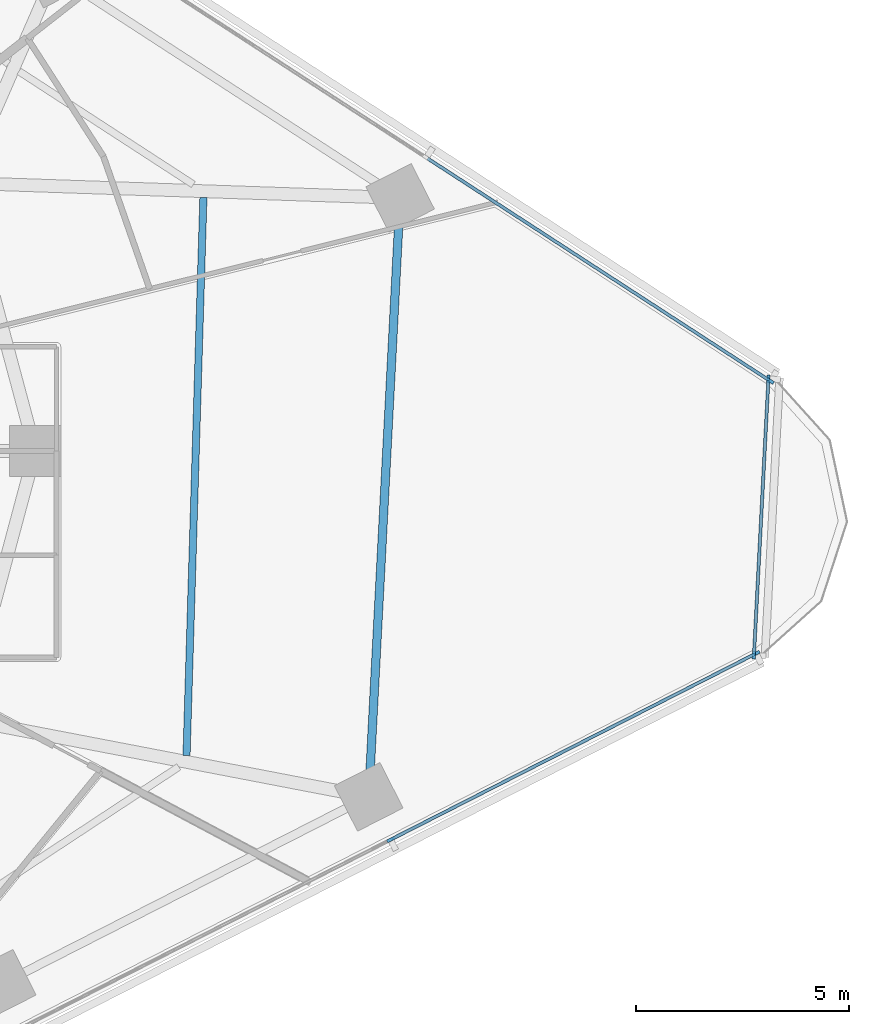
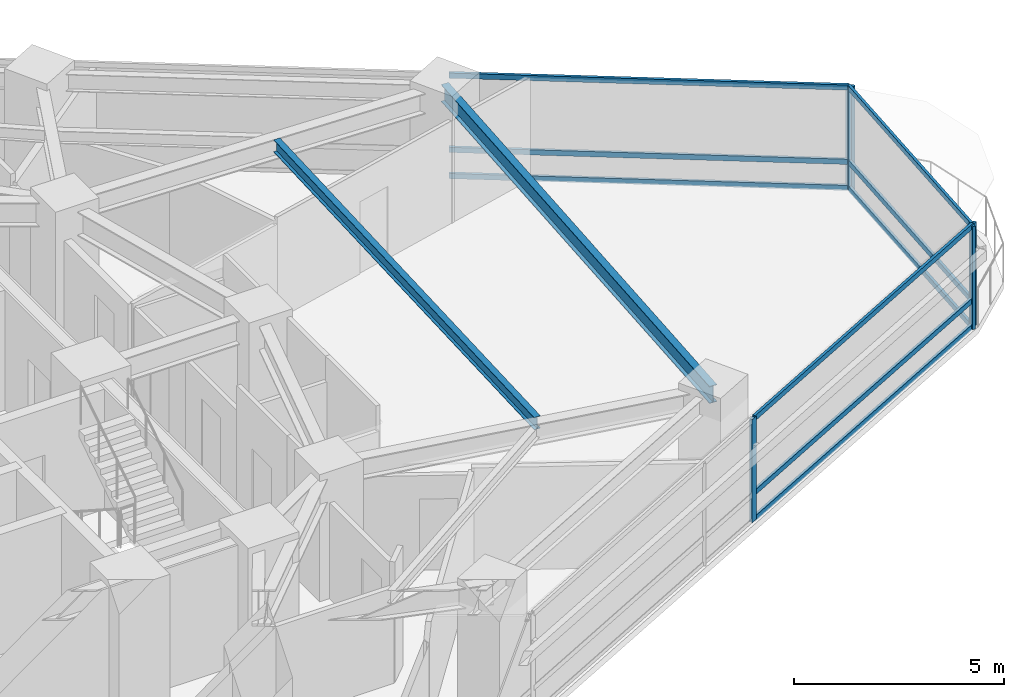
# One storey, part 4 of 14: 14 members, 2 beams, 3 elements without a shape of their own.
"""IFC4 building model written with IfcOpenShell, lengths in metres."""

from ifc_helpers import new_model, si_unit, direction, frame, origin, origin_2d, place, context, subcontext, project, spatial, rectangle, i_section, extrude, material, layer, layer_set, material_profile, profile_set, type_object, element, aggregate, save


model = new_model("IFC4")

# Units and contexts
model_context = context("Model", 3, precision=1e-05, world=origin(), true_north=direction((0.0, 1.0)))
body_context = subcontext(model_context, "Body", "Model", "MODEL_VIEW")
ifc_project = project(units=[si_unit("LENGTHUNIT", "METRE"), si_unit("AREAUNIT", "SQUARE_METRE"), si_unit("VOLUMEUNIT", "CUBIC_METRE"), si_unit("PLANEANGLEUNIT", "RADIAN"), si_unit("MASSUNIT", "GRAM", prefix="KILO")], contexts=[model_context])

# Site, building, storey
site_placement = place(None, origin())
site = spatial("IfcSite", under=ifc_project, at=site_placement, CompositionType="ELEMENT")
building_placement = place(site_placement, origin())
building = spatial("IfcBuilding", under=site, at=building_placement, Name="Terralouvre Media Tower", CompositionType="ELEMENT")
storey_placement = place(building_placement, frame((0.0, 0.0, 119.89990234375)))
storey = spatial("IfcBuildingStorey", under=building, at=storey_placement, Name="L30", CompositionType="ELEMENT", Elevation=119.89990234375)

# Beam
ifc_material_1 = material(Name="Structural steel S355J2", Category="steel")
ifc_material_profile_1 = material_profile(ifc_material_1, i_section(OverallWidth=0.169921875, OverallDepth=0.360107421875, WebThickness=0.008056640625, FlangeThickness=0.0126953125, at=origin_2d()), Name="IPE 360")
ifc_profile_set_1 = profile_set([ifc_material_profile_1], Name="Structural steel S355J2")
beam_type_1 = type_object("IfcBeamType", Name="Composite Floor Joist J-IPE360 (IPE 360)", PredefinedType="JOIST", material=ifc_profile_set_1)
beam_1_placement = place(storey_placement, frame((16.156005859375, -7.156005859375, 3.320068359375), z_axis=(0.030223204966, 0.999543174596, 0.0), x_axis=(-0.999543174596, 0.030223204966, 0.0)))
element("IfcBeam", 1, at=beam_1_placement, inside=storey, type_object=beam_type_1, Name="L30 Framing Beam JT-L30-06", PredefinedType="JOIST", context=body_context, shape_type="SweptSolid", body=[
    extrude(i_section(OverallWidth=0.169921875, OverallDepth=0.360107421875, WebThickness=0.008056640625, FlangeThickness=0.0126953125, at=origin_2d()), origin(), (0.0, 0.0, 1.0), 13.11865234375),
])

# Curtain wall, members
ifc_material_2 = material(Name="Low-iron laminated double glazing with solar-control coating", Category="glass")
ifc_layer_1 = layer(ifc_material_2, 0.1650390625, Name="Production Studio Tower Curtain Wall CW-03")
ifc_layer_set_1 = layer_set([ifc_layer_1], Name="Low-iron laminated double glazing with solar-control coating")
curtain_wall_type_1 = type_object("IfcCurtainWallType", Name="Production Studio Tower Curtain Wall CW-03", PredefinedType="NOTDEFINED", material=ifc_layer_set_1)
curtain_wall_1_placement = place(storey_placement, origin())
curtain_wall_1 = element("IfcCurtainWall", 2, at=curtain_wall_1_placement, inside=storey, type_object=curtain_wall_type_1, Name="L30 Facade Curtain Wall F0", PredefinedType="NOTDEFINED")
ifc_material_3 = material(Name="Anodised extruded aluminium 6063-T6", Category="aluminium")
ifc_material_profile_2 = material_profile(ifc_material_3, rectangle(XDim=0.074951171875, YDim=0.14990234375, at=origin_2d()), Name="ALU 75x150")
ifc_profile_set_2 = profile_set([ifc_material_profile_2], Name="Anodised extruded aluminium 6063-T6")
member_type_1 = type_object("IfcMemberType", Name="Curtain-Wall Horizontal Transom TR-150", PredefinedType="USERDEFINED", material=ifc_profile_set_2)
member_1_placement = place(storey_placement, frame((20.984619140625, -9.118896484375, 0.03759765625), z_axis=(0.891007557644, 0.453988471462, 0.0), x_axis=(-0.453988471462, 0.891007557644, 0.0)))
member_1 = element("IfcMember", 3, at=member_1_placement, type_object=member_type_1, Name="CW-03 transom 5.1", ObjectType="TRANSOM", PredefinedType="USERDEFINED", context=body_context, shape_type="SweptSolid", body=[
    extrude(rectangle(XDim=0.074951171875, YDim=0.14990234375, at=origin_2d()), origin(), (0.0, 0.0, 1.0), 9.5673828125),
])
member_2_placement = place(storey_placement, frame((20.984619140625, -9.118896484375, 0.800048828125), z_axis=(0.891007557644, 0.453988471462, 0.0), x_axis=(-0.453988471462, 0.891007557644, 0.0)))
member_2 = element("IfcMember", 4, at=member_2_placement, type_object=member_type_1, Name="CW-03 transom 5.2", ObjectType="TRANSOM", PredefinedType="USERDEFINED", context=body_context, shape_type="SweptSolid", body=[
    extrude(rectangle(XDim=0.074951171875, YDim=0.14990234375, at=origin_2d()), origin(), (0.0, 0.0, 1.0), 9.5673828125),
])
member_3_placement = place(storey_placement, frame((20.984619140625, -9.118896484375, 2.962646484375), z_axis=(0.891007557644, 0.453988471462, 0.0), x_axis=(-0.453988471462, 0.891007557644, 0.0)))
member_3 = element("IfcMember", 5, at=member_3_placement, type_object=member_type_1, Name="CW-03 transom 5.3", ObjectType="TRANSOM", PredefinedType="USERDEFINED", context=body_context, shape_type="SweptSolid", body=[
    extrude(rectangle(XDim=0.074951171875, YDim=0.14990234375, at=origin_2d()), origin(), (0.0, 0.0, 1.0), 9.5673828125),
])

curtain_wall_2_placement = place(storey_placement, origin())
curtain_wall_2 = element("IfcCurtainWall", 6, at=curtain_wall_2_placement, inside=storey, type_object=curtain_wall_type_1, Name="L30 Facade Curtain Wall F1", PredefinedType="NOTDEFINED")
member_4_placement = place(storey_placement, frame((29.846923828125, 1.664794921875, 0.03759765625), z_axis=(-0.838683148474, 0.544619662211, 0.0), x_axis=(-0.544619662211, -0.838683148474, 0.0)))
member_4 = element("IfcMember", 7, at=member_4_placement, type_object=member_type_1, Name="CW-03 transom 1.1", ObjectType="TRANSOM", PredefinedType="USERDEFINED", context=body_context, shape_type="SweptSolid", body=[
    extrude(rectangle(XDim=0.074951171875, YDim=0.14990234375, at=origin_2d()), origin(), (0.0, 0.0, 1.0), 9.567626953125),
])
member_5_placement = place(storey_placement, frame((29.846923828125, 1.664794921875, 0.800048828125), z_axis=(-0.838683148474, 0.544619662211, 0.0), x_axis=(-0.544619662211, -0.838683148474, 0.0)))
member_5 = element("IfcMember", 8, at=member_5_placement, type_object=member_type_1, Name="CW-03 transom 1.2", ObjectType="TRANSOM", PredefinedType="USERDEFINED", context=body_context, shape_type="SweptSolid", body=[
    extrude(rectangle(XDim=0.074951171875, YDim=0.14990234375, at=origin_2d()), origin(), (0.0, 0.0, 1.0), 9.567626953125),
])
member_6_placement = place(storey_placement, frame((29.846923828125, 1.664794921875, 2.962646484375), z_axis=(-0.838683148474, 0.544619662211, 0.0), x_axis=(-0.544619662211, -0.838683148474, 0.0)))
member_6 = element("IfcMember", 9, at=member_6_placement, type_object=member_type_1, Name="CW-03 transom 1.3", ObjectType="TRANSOM", PredefinedType="USERDEFINED", context=body_context, shape_type="SweptSolid", body=[
    extrude(rectangle(XDim=0.074951171875, YDim=0.14990234375, at=origin_2d()), origin(), (0.0, 0.0, 1.0), 9.567626953125),
])

ifc_material_4 = material(Name="Low-iron laminated double glazing with solar-control coating", Category="glass")
ifc_layer_2 = layer(ifc_material_4, 0.1650390625, Name="Rounded Wind-Corner Curved Glazing CW-04")
ifc_layer_set_2 = layer_set([ifc_layer_2], Name="Low-iron laminated double glazing with solar-control coating")
curtain_wall_type_2 = type_object("IfcCurtainWallType", Name="Rounded Wind-Corner Curved Glazing CW-04", PredefinedType="NOTDEFINED", material=ifc_layer_set_2)
curtain_wall_3_placement = place(storey_placement, origin())
curtain_wall_3 = element("IfcCurtainWall", 10, at=curtain_wall_3_placement, inside=storey, type_object=curtain_wall_type_2, Name="L30 Rounded Wind-Corner Curtain Wall C1", PredefinedType="NOTDEFINED")
member_7_placement = place(storey_placement, frame((29.49462890625, -4.76611328125, 0.03759765625), z_axis=(0.052343668365, 0.998629130549, 0.0), x_axis=(-0.998629130549, 0.052343668365, 0.0)))
member_7 = element("IfcMember", 11, at=member_7_placement, type_object=member_type_1, Name="CW-04 transom 1.1", ObjectType="TRANSOM", PredefinedType="USERDEFINED", context=body_context, shape_type="SweptSolid", body=[
    extrude(rectangle(XDim=0.074951171875, YDim=0.14990234375, at=origin_2d()), origin(), (0.0, 0.0, 1.0), 6.431884765625),
])
member_8_placement = place(storey_placement, frame((29.49462890625, -4.76611328125, 0.800048828125), z_axis=(0.052343668365, 0.998629130549, 0.0), x_axis=(-0.998629130549, 0.052343668365, 0.0)))
member_8 = element("IfcMember", 12, at=member_8_placement, type_object=member_type_1, Name="CW-04 transom 1.2", ObjectType="TRANSOM", PredefinedType="USERDEFINED", context=body_context, shape_type="SweptSolid", body=[
    extrude(rectangle(XDim=0.074951171875, YDim=0.14990234375, at=origin_2d()), origin(), (0.0, 0.0, 1.0), 6.431884765625),
])
member_9_placement = place(storey_placement, frame((29.49462890625, -4.76611328125, 2.962646484375), z_axis=(0.052343668365, 0.998629130549, 0.0), x_axis=(-0.998629130549, 0.052343668365, 0.0)))
member_9 = element("IfcMember", 13, at=member_9_placement, type_object=member_type_1, Name="CW-04 transom 1.3", ObjectType="TRANSOM", PredefinedType="USERDEFINED", context=body_context, shape_type="SweptSolid", body=[
    extrude(rectangle(XDim=0.074951171875, YDim=0.14990234375, at=origin_2d()), origin(), (0.0, 0.0, 1.0), 6.431884765625),
])

# Member
ifc_material_5 = material(Name="Anodised extruded aluminium 6063-T6", Category="aluminium")
ifc_material_profile_3 = material_profile(ifc_material_5, rectangle(XDim=0.074951171875, YDim=0.179931640625, at=origin_2d()), Name="ALU 75x180")
ifc_profile_set_3 = profile_set([ifc_material_profile_3], Name="Anodised extruded aluminium 6063-T6")
member_type_2 = type_object("IfcMemberType", Name="Curtain-Wall Vertical Mullion ML-180", PredefinedType="MULLION", material=ifc_profile_set_3)
member_10_placement = place(storey_placement, frame((20.951171875, -9.135986328125, 0.0), z_axis=(0.0, 0.0, 1.0), x_axis=(-0.4539905449, 0.891006501178, 0.0)))
member_10 = element("IfcMember", 14, at=member_10_placement, type_object=member_type_2, Name="CW-03 mullion 5", PredefinedType="MULLION", context=body_context, shape_type="SweptSolid", body=[
    extrude(rectangle(XDim=0.074951171875, YDim=0.179931640625, at=origin_2d()), origin(), (0.0, 0.0, 1.0), 3.0),
])

member_11_placement = place(storey_placement, frame((29.542724609375, -4.75830078125, 0.0), z_axis=(0.0, 0.0, 1.0), x_axis=(-0.4539905449, 0.891006501178, 0.0)))
member_11 = element("IfcMember", 15, at=member_11_placement, type_object=member_type_2, Name="CW-03 mullion 6", PredefinedType="MULLION", context=body_context, shape_type="SweptSolid", body=[
    extrude(rectangle(XDim=0.074951171875, YDim=0.179931640625, at=origin_2d()), origin(), (0.0, 0.0, 1.0), 3.0),
])

aggregate(curtain_wall_1, [member_10, member_11, member_1, member_2, member_3])

member_12_placement = place(storey_placement, frame((29.878173828125, 1.644287109375, 0.0), z_axis=(0.0, 0.0, 1.0), x_axis=(-0.544639002681, -0.838670588944, 0.0)))
member_12 = element("IfcMember", 16, at=member_12_placement, type_object=member_type_2, Name="CW-03 mullion 1", PredefinedType="MULLION", context=body_context, shape_type="SweptSolid", body=[
    extrude(rectangle(XDim=0.074951171875, YDim=0.179931640625, at=origin_2d()), origin(), (0.0, 0.0, 1.0), 3.0),
])

aggregate(curtain_wall_2, [member_12, member_4, member_5, member_6])

member_13_placement = place(storey_placement, frame((29.49267578125, -4.803466796875, 0.0), z_axis=(0.0, 0.0, 1.0), x_axis=(-0.998629489329, 0.052336823006, 0.0)))
member_13 = element("IfcMember", 17, at=member_13_placement, type_object=member_type_2, Name="CW-04 mullion 1", PredefinedType="MULLION", context=body_context, shape_type="SweptSolid", body=[
    extrude(rectangle(XDim=0.074951171875, YDim=0.179931640625, at=origin_2d()), origin(), (0.0, 0.0, 1.0), 3.0),
])

member_14_placement = place(storey_placement, frame((29.833251953125, 1.6943359375, 0.0), z_axis=(0.0, 0.0, 1.0), x_axis=(-0.998629489329, 0.052336823006, 0.0)))
member_14 = element("IfcMember", 18, at=member_14_placement, type_object=member_type_2, Name="CW-04 mullion 2", PredefinedType="MULLION", context=body_context, shape_type="SweptSolid", body=[
    extrude(rectangle(XDim=0.074951171875, YDim=0.179931640625, at=origin_2d()), origin(), (0.0, 0.0, 1.0), 3.0),
])

aggregate(curtain_wall_3, [member_13, member_14, member_7, member_8, member_9])

# Beam
ifc_material_6 = material(Name="Structural steel S355J2", Category="steel")
ifc_material_profile_4 = material_profile(ifc_material_6, i_section(OverallWidth=0.199951171875, OverallDepth=0.5, WebThickness=0.01025390625, FlangeThickness=0.01611328125, at=origin_2d()), Name="IPE 500")
ifc_profile_set_4 = profile_set([ifc_material_profile_4], Name="Structural steel S355J2")
beam_type_2 = type_object("IfcBeamType", Name="Perimeter Spandrel Beam SPB-500 (IPE 500)", PredefinedType="SPANDREL", material=ifc_profile_set_4)
beam_2_placement = place(storey_placement, frame((20.438232421875, -8.129150390625, 3.25), z_axis=(0.052337943139, 0.998629430624, 0.0), x_axis=(-0.998629430624, 0.052337943139, 0.0)))
element("IfcBeam", 19, at=beam_2_placement, inside=storey, type_object=beam_type_2, Name="L30 Framing Beam BM-L30-PR06", PredefinedType="SPANDREL", context=body_context, shape_type="SweptSolid", body=[
    extrude(i_section(OverallWidth=0.199951171875, OverallDepth=0.5, WebThickness=0.01025390625, FlangeThickness=0.01611328125, at=origin_2d()), origin(), (0.0, 0.0, 1.0), 14.0966796875),
])

save(model, "model.ifc")
